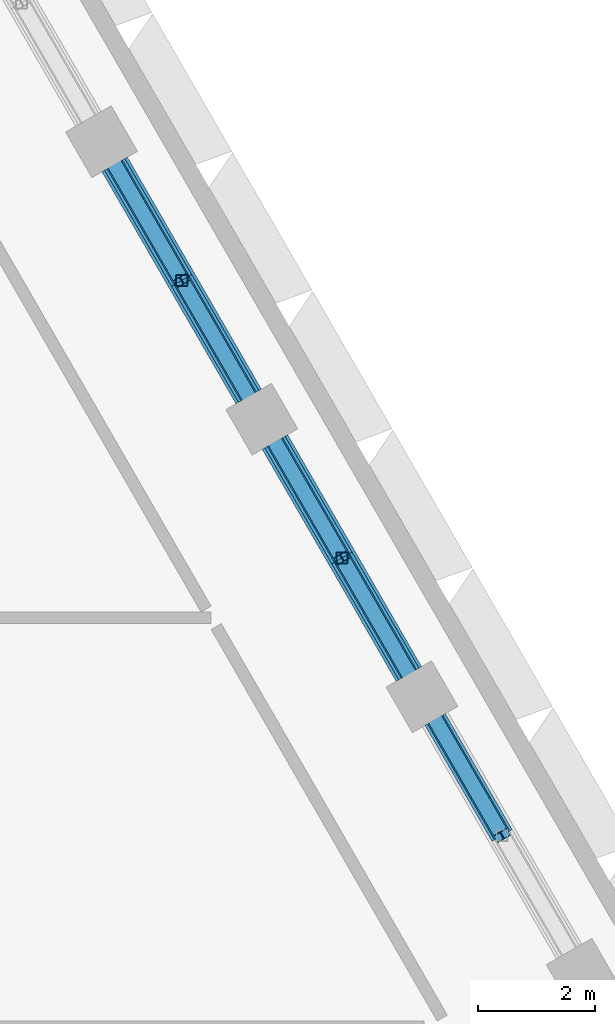
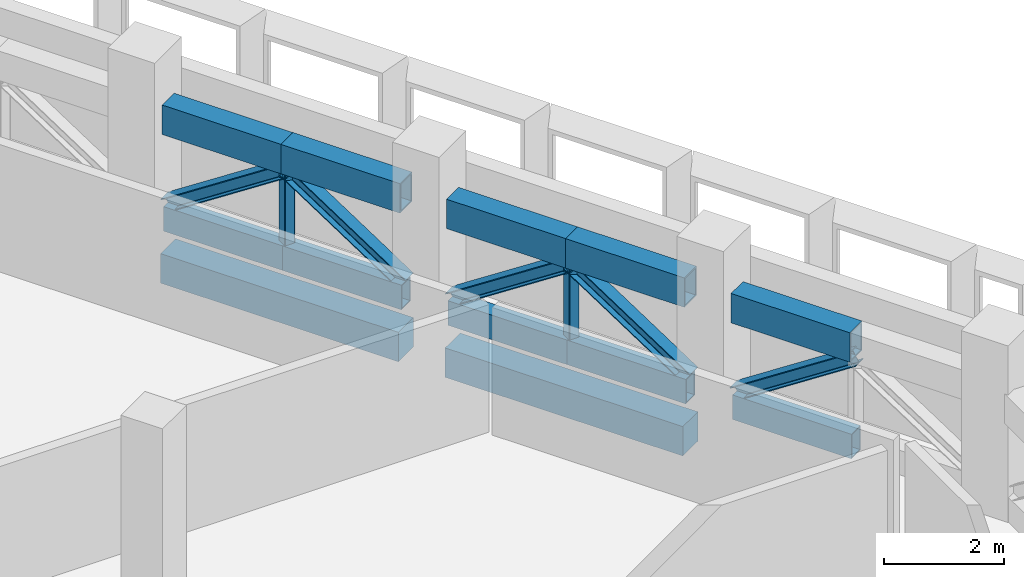
# One storey, part 9 of 22: 17 members, 2 beams.
"""IFC4 building model written with IfcOpenShell, lengths in metres."""

from ifc_helpers import new_model, si_unit, direction, frame, origin, origin_2d, place, context, subcontext, project, spatial, rectangle, hollow_rectangle, i_section, extrude, material, material_profile, profile_set, type_object, element, save


model = new_model("IFC4")

# Units and contexts
model_context = context("Model", 3, precision=1e-05, world=origin(), true_north=direction((0.0, 1.0)))
body_context = subcontext(model_context, "Body", "Model", "MODEL_VIEW")
ifc_project = project(units=[si_unit("LENGTHUNIT", "METRE"), si_unit("AREAUNIT", "SQUARE_METRE"), si_unit("VOLUMEUNIT", "CUBIC_METRE"), si_unit("PLANEANGLEUNIT", "RADIAN"), si_unit("MASSUNIT", "GRAM", prefix="KILO")], contexts=[model_context])

# Site, building, storey
site_placement = place(None, origin())
site = spatial("IfcSite", under=ifc_project, at=site_placement, CompositionType="ELEMENT")
building_placement = place(site_placement, origin())
building = spatial("IfcBuilding", under=site, at=building_placement, Name="Beryl Residences", CompositionType="ELEMENT")
storey_placement = place(building_placement, frame((0.0, 0.0, 153.60009765625)))
storey = spatial("IfcBuildingStorey", under=building, at=storey_placement, Name="L47", CompositionType="ELEMENT", Elevation=153.60009765625)

# Members
ifc_material_1 = material(Name="Steel S355", Category="steel")
ifc_material_profile_1 = material_profile(ifc_material_1, hollow_rectangle(XDim=0.300048828125, YDim=0.5, WallThickness=0.02001953125, at=origin_2d()))
ifc_profile_set_1 = profile_set([ifc_material_profile_1], Name="Steel S355")
member_type_1 = type_object("IfcMemberType", Name="BB3 belt truss bottom chord WB 500x300x20", PredefinedType="CHORD", material=ifc_profile_set_1)
member_1_placement = place(storey_placement, frame((25.591064453125, 5.27490234375, 0.25), z_axis=(-0.499965247104, 0.866045467449, 0.0), x_axis=(-0.866045467449, -0.499965247104, 0.0)))
element("IfcMember", 1, at=member_1_placement, inside=storey, type_object=member_type_1, Name="Belt truss BB3-NE-0b L47", PredefinedType="CHORD", context=body_context, shape_type="SweptSolid", body=[
    extrude(hollow_rectangle(XDim=0.300048828125, YDim=0.5, WallThickness=0.02001953125, at=origin_2d()), origin(), (0.0, 0.0, 1.0), 2.292236328125),
])
member_2_placement = place(storey_placement, frame((23.9951171875, 8.0400390625, 0.25), z_axis=(-0.500011369369, 0.866018839577, 0.0), x_axis=(-0.866018839577, -0.500011369369, 0.0)))
element("IfcMember", 2, at=member_2_placement, inside=storey, type_object=member_type_1, Name="Belt truss BB3-NE-1a L47", PredefinedType="CHORD", context=body_context, shape_type="SweptSolid", body=[
    extrude(hollow_rectangle(XDim=0.300048828125, YDim=0.5, WallThickness=0.02001953125, at=origin_2d()), origin(), (0.0, 0.0, 1.0), 2.2919921875),
])
member_3_placement = place(storey_placement, frame((22.84912109375, 10.02490234375, 0.25), z_axis=(-0.500045128092, 0.865999347501, 0.0), x_axis=(-0.865999347501, -0.500045128092, 0.0)))
element("IfcMember", 3, at=member_3_placement, inside=storey, type_object=member_type_1, Name="Belt truss BB3-NE-1b L47", PredefinedType="CHORD", context=body_context, shape_type="SweptSolid", body=[
    extrude(hollow_rectangle(XDim=0.300048828125, YDim=0.5, WallThickness=0.02001953125, at=origin_2d()), origin(), (0.0, 0.0, 1.0), 2.292236328125),
])
member_4_placement = place(storey_placement, frame((21.2529296875, 12.7900390625, 0.25), z_axis=(-0.500011369369, 0.866018839577, 0.0), x_axis=(-0.866018839577, -0.500011369369, 0.0)))
element("IfcMember", 4, at=member_4_placement, inside=storey, type_object=member_type_1, Name="Belt truss BB3-NE-2a L47", PredefinedType="CHORD", context=body_context, shape_type="SweptSolid", body=[
    extrude(hollow_rectangle(XDim=0.300048828125, YDim=0.5, WallThickness=0.02001953125, at=origin_2d()), origin(), (0.0, 0.0, 1.0), 2.2919921875),
])
member_5_placement = place(storey_placement, frame((20.10693359375, 14.77490234375, 0.25), z_axis=(-0.500284694487, 0.865860972941, 0.0), x_axis=(-0.865860972941, -0.500284694487, 0.0)))
element("IfcMember", 5, at=member_5_placement, inside=storey, type_object=member_type_1, Name="Belt truss BB3-NE-2b L47", PredefinedType="CHORD", context=body_context, shape_type="SweptSolid", body=[
    extrude(hollow_rectangle(XDim=0.300048828125, YDim=0.5, WallThickness=0.02001953125, at=origin_2d()), origin(), (0.0, 0.0, 1.0), 2.292724609375),
])
ifc_material_2 = material(Name="Steel S355", Category="steel")
ifc_material_profile_2 = material_profile(ifc_material_2, i_section(OverallWidth=0.256103515625, OverallDepth=0.260009765625, WebThickness=0.010498046875, FlangeThickness=0.017333984375, FilletRadius=0.013916015625, at=origin_2d()))
ifc_profile_set_2 = profile_set([ifc_material_profile_2], Name="Steel S355")
member_type_2 = type_object("IfcMemberType", Name="BD3 belt truss diagonal 250UC90", PredefinedType="BRACE", material=ifc_profile_set_2)
for number, where, z_axis, x_axis, name in (
    (6, (24.445068359375, 7.260009765625, 0.5), (0.418348219393, -0.724667527031, 0.547578069866), (0.866045467449, 0.499965247104, 0.0), "Belt truss BD3-NE-0b L47"),
    (7, (23.9951171875, 8.0400390625, 0.5), (-0.418375239492, 0.724625201761, 0.547613436608), (-0.866018839577, -0.500011369369, 0.0), "Belt truss BD3-NE-1a L47"),
):
    element("IfcMember", number, at=place(storey_placement, frame(where, z_axis=z_axis, x_axis=x_axis)), inside=storey, type_object=member_type_2, Name=name, PredefinedType="BRACE", context=body_context, shape_type="SweptSolid", body=[
        extrude(i_section(OverallWidth=0.256103515625, OverallDepth=0.260009765625, WebThickness=0.010498046875, FlangeThickness=0.017333984375, FilletRadius=0.013916015625, at=origin_2d()), origin(), (0.0, 0.0, 1.0), 2.7392578125),
    ])
member_6_placement = place(storey_placement, frame((21.702880859375, 12.010009765625, 0.5), z_axis=(0.418421741252, -0.724640506521, 0.54755765245), x_axis=(0.865999347501, 0.500045128092, 0.0)))
element("IfcMember", 8, at=member_6_placement, inside=storey, type_object=member_type_2, Name="Belt truss BD3-NE-1b L47", PredefinedType="BRACE", context=body_context, shape_type="SweptSolid", body=[
    extrude(i_section(OverallWidth=0.256103515625, OverallDepth=0.260009765625, WebThickness=0.010498046875, FlangeThickness=0.017333984375, FilletRadius=0.013916015625, at=origin_2d()), origin(), (0.0, 0.0, 1.0), 2.739501953125),
])
member_7_placement = place(storey_placement, frame((21.2529296875, 12.7900390625, 0.5), z_axis=(-0.418375239492, 0.724625201761, 0.547613436608), x_axis=(-0.866018839577, -0.500011369369, 0.0)))
element("IfcMember", 9, at=member_7_placement, inside=storey, type_object=member_type_2, Name="Belt truss BD3-NE-2a L47", PredefinedType="BRACE", context=body_context, shape_type="SweptSolid", body=[
    extrude(i_section(OverallWidth=0.256103515625, OverallDepth=0.260009765625, WebThickness=0.010498046875, FlangeThickness=0.017333984375, FilletRadius=0.013916015625, at=origin_2d()), origin(), (0.0, 0.0, 1.0), 2.7392578125),
])
member_8_placement = place(storey_placement, frame((18.9599609375, 16.760009765625, 0.5), z_axis=(0.418642257481, -0.724559428604, 0.547496387817), x_axis=(0.865860972941, 0.500284694487, 0.0)))
element("IfcMember", 10, at=member_8_placement, inside=storey, type_object=member_type_2, Name="Belt truss BD3-NE-2b L47", PredefinedType="BRACE", context=body_context, shape_type="SweptSolid", body=[
    extrude(i_section(OverallWidth=0.256103515625, OverallDepth=0.260009765625, WebThickness=0.010498046875, FlangeThickness=0.017333984375, FilletRadius=0.013916015625, at=origin_2d()), origin(), (0.0, 0.0, 1.0), 2.73974609375),
])
ifc_material_3 = material(Name="Steel S355", Category="steel")
ifc_material_profile_3 = material_profile(ifc_material_3, hollow_rectangle(XDim=0.199951171875, YDim=0.199951171875, WallThickness=0.009033203125, InnerFilletRadius=0.009033203125, OuterFilletRadius=0.01806640625, at=origin_2d()))
ifc_profile_set_3 = profile_set([ifc_material_profile_3], Name="Steel S355")
member_type_3 = type_object("IfcMemberType", Name="BQ3 belt truss post SHS 200x200x9", PredefinedType="POST", material=ifc_profile_set_3)
for number, where, z_axis, x_axis, name in (
    (11, (22.84912109375, 10.02490234375, 0.5), (0.0, 0.0, 1.0), (1.0, 0.0, 0.0), "Belt truss BQ3-NE-1 L47"),
    (12, (20.10693359375, 14.77490234375, 0.5), (0.0, 0.0, 1.0), (1.0, 0.0, 0.0), "Belt truss BQ3-NE-2 L47"),
):
    element("IfcMember", number, at=place(storey_placement, frame(where, z_axis=z_axis, x_axis=x_axis)), inside=storey, type_object=member_type_3, Name=name, PredefinedType="POST", context=body_context, shape_type="SweptSolid", body=[
        extrude(hollow_rectangle(XDim=0.199951171875, YDim=0.199951171875, WallThickness=0.009033203125, InnerFilletRadius=0.009033203125, OuterFilletRadius=0.01806640625, at=origin_2d()), origin(), (0.0, 0.0, 1.0), 1.5),
    ])
ifc_material_4 = material(Name="Steel S355", Category="steel")
ifc_material_profile_4 = material_profile(ifc_material_4, hollow_rectangle(XDim=0.39990234375, YDim=0.60009765625, WallThickness=0.030029296875, at=origin_2d()))
ifc_profile_set_4 = profile_set([ifc_material_profile_4], Name="Steel S355")
member_type_4 = type_object("IfcMemberType", Name="BT3 belt truss top chord WB 600x400x30", PredefinedType="CHORD", material=ifc_profile_set_4)
member_9_placement = place(storey_placement, frame((25.591064453125, 5.27490234375, 2.2998046875), z_axis=(-0.499965247104, 0.866045467449, 0.0), x_axis=(-0.866045467449, -0.499965247104, 0.0)))
element("IfcMember", 13, at=member_9_placement, inside=storey, type_object=member_type_4, Name="Belt truss BT3-NE-0b L47", PredefinedType="CHORD", context=body_context, shape_type="SweptSolid", body=[
    extrude(hollow_rectangle(XDim=0.39990234375, YDim=0.60009765625, WallThickness=0.030029296875, at=origin_2d()), origin(), (0.0, 0.0, 1.0), 2.292236328125),
])
member_10_placement = place(storey_placement, frame((23.9951171875, 8.0400390625, 2.2998046875), z_axis=(-0.500011369369, 0.866018839577, 0.0), x_axis=(-0.866018839577, -0.500011369369, 0.0)))
element("IfcMember", 14, at=member_10_placement, inside=storey, type_object=member_type_4, Name="Belt truss BT3-NE-1a L47", PredefinedType="CHORD", context=body_context, shape_type="SweptSolid", body=[
    extrude(hollow_rectangle(XDim=0.39990234375, YDim=0.60009765625, WallThickness=0.030029296875, at=origin_2d()), origin(), (0.0, 0.0, 1.0), 2.2919921875),
])
member_11_placement = place(storey_placement, frame((22.84912109375, 10.02490234375, 2.2998046875), z_axis=(-0.500045128092, 0.865999347501, 0.0), x_axis=(-0.865999347501, -0.500045128092, 0.0)))
element("IfcMember", 15, at=member_11_placement, inside=storey, type_object=member_type_4, Name="Belt truss BT3-NE-1b L47", PredefinedType="CHORD", context=body_context, shape_type="SweptSolid", body=[
    extrude(hollow_rectangle(XDim=0.39990234375, YDim=0.60009765625, WallThickness=0.030029296875, at=origin_2d()), origin(), (0.0, 0.0, 1.0), 2.292236328125),
])
member_12_placement = place(storey_placement, frame((21.2529296875, 12.7900390625, 2.2998046875), z_axis=(-0.500011369369, 0.866018839577, 0.0), x_axis=(-0.866018839577, -0.500011369369, 0.0)))
element("IfcMember", 16, at=member_12_placement, inside=storey, type_object=member_type_4, Name="Belt truss BT3-NE-2a L47", PredefinedType="CHORD", context=body_context, shape_type="SweptSolid", body=[
    extrude(hollow_rectangle(XDim=0.39990234375, YDim=0.60009765625, WallThickness=0.030029296875, at=origin_2d()), origin(), (0.0, 0.0, 1.0), 2.2919921875),
])
member_13_placement = place(storey_placement, frame((20.10693359375, 14.77490234375, 2.2998046875), z_axis=(-0.500284694487, 0.865860972941, 0.0), x_axis=(-0.865860972941, -0.500284694487, 0.0)))
element("IfcMember", 17, at=member_13_placement, inside=storey, type_object=member_type_4, Name="Belt truss BT3-NE-2b L47", PredefinedType="CHORD", context=body_context, shape_type="SweptSolid", body=[
    extrude(hollow_rectangle(XDim=0.39990234375, YDim=0.60009765625, WallThickness=0.030029296875, at=origin_2d()), origin(), (0.0, 0.0, 1.0), 2.292724609375),
])

# Beams
ifc_material_5 = material(Name="Concrete C60/75", Category="concrete")
ifc_material_profile_5 = material_profile(ifc_material_5, rectangle(XDim=0.5, YDim=0.60009765625, at=origin_2d()))
ifc_profile_set_5 = profile_set([ifc_material_profile_5], Name="Concrete C60/75")
beam_type = type_object("IfcBeamType", Name="SB3 spandrel beam 500 x 600 C60/75", PredefinedType="SPANDREL", material=ifc_profile_set_5)
beam_1_placement = place(storey_placement, frame((23.9951171875, 8.0400390625, -0.7001953125), z_axis=(-0.500028250054, 0.866009092994, 0.0), x_axis=(-0.866009092994, -0.500028250054, 0.0)))
element("IfcBeam", 18, at=beam_1_placement, inside=storey, type_object=beam_type, Name="SB3 L47 NE-1", PredefinedType="SPANDREL", context=body_context, shape_type="SweptSolid", body=[
    extrude(rectangle(XDim=0.5, YDim=0.60009765625, at=origin_2d()), origin(), (0.0, 0.0, 1.0), 4.584228515625),
])
beam_2_placement = place(storey_placement, frame((21.2529296875, 12.7900390625, -0.7001953125), z_axis=(-0.500148059018, 0.865939904993, 0.0), x_axis=(-0.865939904993, -0.500148059018, 0.0)))
element("IfcBeam", 19, at=beam_2_placement, inside=storey, type_object=beam_type, Name="SB3 L47 NE-2", PredefinedType="SPANDREL", context=body_context, shape_type="SweptSolid", body=[
    extrude(rectangle(XDim=0.5, YDim=0.60009765625, at=origin_2d()), origin(), (0.0, 0.0, 1.0), 4.58447265625),
])

save(model, "model.ifc")
